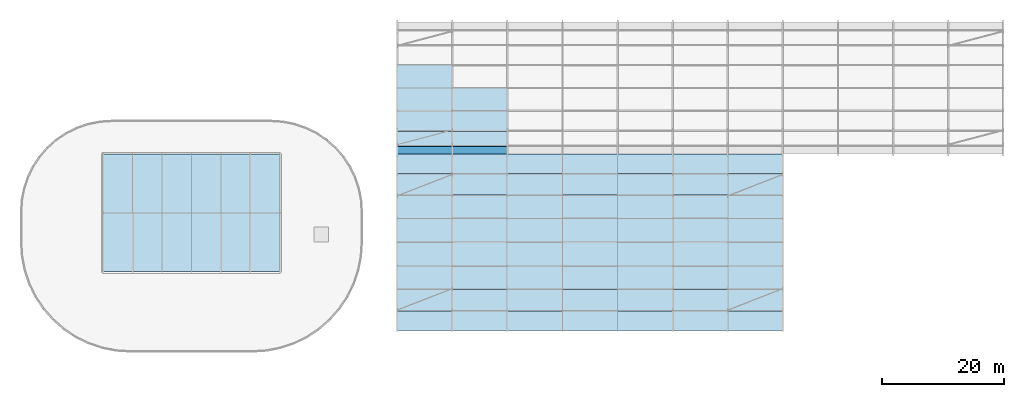
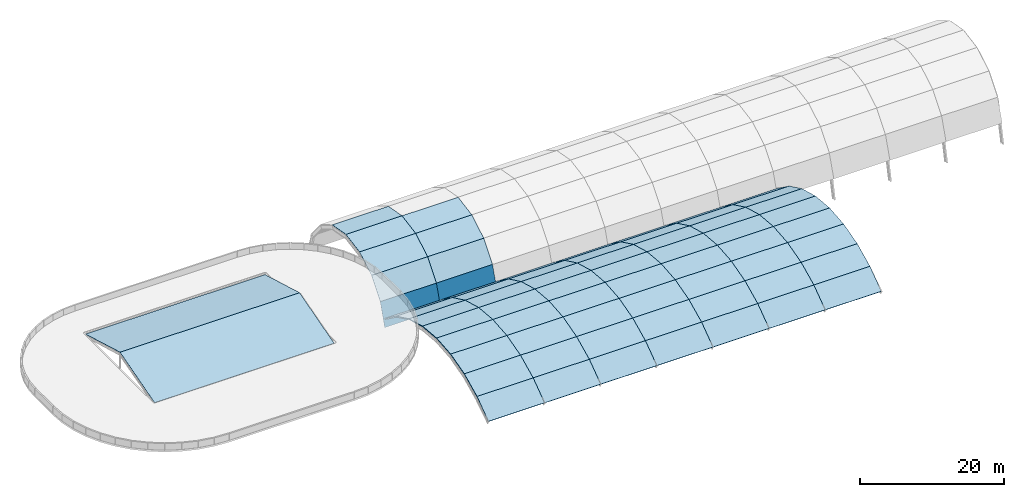
# One storey, part 12 of 15: 67 roofs.
"""IFC4 building model written with IfcOpenShell, lengths in metres."""

import ifcopenshell
import ifcopenshell.guid

model = None  # the IFC model being written
_history = None  # IfcOwnerHistory: only IFC2X3 demands one
_inside = {}  # id of a spatial element -> (the spatial element, [elements in it])
_under = {}  # id of a project, library or spatial element -> (it, [spatial elements below it])
_declared = {}  # id of a project -> (the project, [libraries it declares])
_typed = {}  # id of a type object -> (the type object, [elements of that type])
_made_of = {}  # id of a material, layer set ... -> (it, [elements and type objects made of it])


def new_model(schema):
    """Start an empty IFC model of exactly this schema.

    Asked for "IFC4X3", IfcOpenShell would pick the latest addendum, in which some entities
    have other attributes; the version numbers below select the first issue.
    IFC2X3 requires an IfcOwnerHistory on every rooted entity: one is made here for all.
    """
    global model, _history
    if schema == "IFC4X3":
        model = ifcopenshell.file(schema_version=(4, 3, 0, 0))
    else:
        model = ifcopenshell.file(schema=schema)
    _inside.clear()
    _under.clear()
    _declared.clear()
    _typed.clear()
    _made_of.clear()
    _history = None
    if model.schema == "IFC2X3":
        org = make("IfcOrganization", Name="unknown")
        user = make(
            "IfcPersonAndOrganization",
            ThePerson=make("IfcPerson", FamilyName="unknown"),
            TheOrganization=org,
        )
        app = make(
            "IfcApplication",
            ApplicationDeveloper=org,
            Version="unknown",
            ApplicationFullName="unknown",
            ApplicationIdentifier="unknown",
        )
        _history = make(
            "IfcOwnerHistory",
            OwningUser=user,
            OwningApplication=app,
            ChangeAction="ADDED",
            CreationDate=0,
        )
    return model


def make(cls, **values):
    """One entity of the class cls with the attributes given. An attribute that is None is left unset."""
    return model.create_entity(
        cls, **{name: value for name, value in values.items() if value is not None}
    )


def rooted(cls, **values):
    """An entity with a GlobalId (a new one), such as an element, a storey or a relation."""
    return make(cls, GlobalId=ifcopenshell.guid.new(), OwnerHistory=_history, **values)


def si_unit(unit_type, name, prefix=None):
    """IfcSIUnit, for example si_unit("LENGTHUNIT", "METRE", prefix="MILLI")."""
    return make("IfcSIUnit", UnitType=unit_type, Prefix=prefix, Name=name)


def assignment(units):
    """IfcUnitAssignment: the units of a project."""
    return None if units is None else make("IfcUnitAssignment", Units=units)


def point(xyz):
    """IfcCartesianPoint."""
    return None if xyz is None else make("IfcCartesianPoint", Coordinates=xyz)


def direction(xyz):
    """IfcDirection."""
    return None if xyz is None else make("IfcDirection", DirectionRatios=xyz)


def frame(location, z_axis=None, x_axis=None):
    """IfcAxis2Placement3D, a coordinate frame: its origin and axes. An axis left out is left unset."""
    return make(
        "IfcAxis2Placement3D",
        Location=point(location),
        Axis=direction(z_axis),
        RefDirection=direction(x_axis),
    )


def origin():
    """The frame at (0, 0, 0) with its axes left unset."""
    return frame((0.0, 0.0, 0.0))


def place(relative_to, where):
    """IfcLocalPlacement: puts the frame where relative to a parent placement (None: the world)."""
    return make(
        "IfcLocalPlacement", PlacementRelTo=relative_to, RelativePlacement=where
    )


def context(
    kind, dimensions, precision=None, world=None, true_north=None, identifier=None
):
    """IfcGeometricRepresentationContext, for example the 3D "Model" context."""
    return make(
        "IfcGeometricRepresentationContext",
        ContextIdentifier=identifier,
        ContextType=kind,
        CoordinateSpaceDimension=dimensions,
        Precision=precision,
        WorldCoordinateSystem=world,
        TrueNorth=true_north,
    )


def subcontext(parent, identifier, kind, view, scale=None):
    """IfcGeometricRepresentationSubContext, for example "Body" below "Model"."""
    return make(
        "IfcGeometricRepresentationSubContext",
        ContextIdentifier=identifier,
        ContextType=kind,
        ParentContext=parent,
        TargetScale=scale,
        TargetView=view,
    )


def project(units=None, contexts=None):
    """IfcProject with its units and contexts."""
    return rooted(
        "IfcProject",
        Name="project",
        RepresentationContexts=contexts,
        UnitsInContext=assignment(units),
    )


def spatial(cls, under=None, at=None, **own):
    """A site, building, storey or space (cls), placed at a placement, below another one or the project."""
    s = rooted(cls, ObjectPlacement=at, **own)
    if under is not None:
        _under.setdefault(under.id(), (under, []))[1].append(s)
    return s


def polyline(points):
    """IfcPolyline through the points."""
    return make("IfcPolyline", Points=[point(p) for p in points])


def outline(outer, holes=None, kind="AREA"):
    """IfcArbitraryClosedProfileDef: a profile drawn as a closed curve; with holes, ...WithVoids."""
    if holes is None:
        return make("IfcArbitraryClosedProfileDef", ProfileType=kind, OuterCurve=outer)
    return make(
        "IfcArbitraryProfileDefWithVoids",
        ProfileType=kind,
        OuterCurve=outer,
        InnerCurves=holes,
    )


def extrude(swept, where, along, depth):
    """IfcExtrudedAreaSolid: the profile swept, set in the frame where, extruded along a direction by depth."""
    return make(
        "IfcExtrudedAreaSolid",
        SweptArea=swept,
        Position=where,
        ExtrudedDirection=direction(along),
        Depth=depth,
    )


def shape(context_of_items, identifier, shape_type, items):
    """IfcShapeRepresentation: the items that make up one representation, for example the "Body"."""
    return make(
        "IfcShapeRepresentation",
        ContextOfItems=context_of_items,
        RepresentationIdentifier=identifier,
        RepresentationType=shape_type,
        Items=items,
    )


def material(Name=None, Category=None):
    """IfcMaterial."""
    return make("IfcMaterial", Name=Name, Category=Category)


def layer(
    of_material, thickness, ventilated=None, Name=None, Category=None, Priority=None
):
    """IfcMaterialLayer: one layer of a wall or slab, of a material (None: an air gap)."""
    return make(
        "IfcMaterialLayer",
        Material=of_material,
        LayerThickness=thickness,
        IsVentilated=ventilated,
        Name=Name,
        Category=Category,
        Priority=Priority,
    )


def layer_set(layers, Name=None):
    """IfcMaterialLayerSet."""
    return make("IfcMaterialLayerSet", MaterialLayers=layers, LayerSetName=Name)


def made_of(thing, what):
    """Note that an element or type object is made of a material, layer set ...; save() writes the relation."""
    if what is not None:
        _made_of.setdefault(what.id(), (what, []))[1].append(thing)
    return thing


def type_object(cls, material=None, **own):
    """A type object (cls), such as IfcWallType, which elements share."""
    return made_of(rooted(cls, **own), material)


def element(
    cls,
    number,
    at=None,
    inside=None,
    cuts=None,
    type_object=None,
    material=None,
    context=None,
    identifier="Body",
    shape_type=None,
    held_by="IfcProductDefinitionShape",
    body=None,
    shapes=None,
    **own,
):
    """One element of the class cls, such as IfcWall. Its Tag is "e" and its number.

    at: its placement. inside: the storey or other place that contains it. cuts: it is an
    opening in that element (IfcRelVoidsElement). A single representation is given by context,
    identifier, shape_type and body (its items); several are given by shapes. held_by: the class
    of the entity that holds the representations. save() writes the other relations.
    """
    e = rooted(cls, Tag="e%d" % number, ObjectPlacement=at, **own)
    if body is not None:
        shapes = [shape(context, identifier, shape_type, body)]
    if shapes is not None:
        e.Representation = make(held_by, Representations=shapes)
    if inside is not None:
        _inside.setdefault(inside.id(), (inside, []))[1].append(e)
    if cuts is not None:
        rooted(
            "IfcRelVoidsElement", RelatingBuildingElement=cuts, RelatedOpeningElement=e
        )
    if type_object is not None:
        _typed.setdefault(type_object.id(), (type_object, []))[1].append(e)
    return made_of(e, material)


def aggregate(whole, parts):
    """IfcRelAggregates: a whole, such as a stair, and the parts it consists of."""
    return rooted("IfcRelAggregates", RelatingObject=whole, RelatedObjects=parts)


def save(model, path):
    """Write the relations noted so far, then the file.

    IfcRelAggregates (storeys below a building ...), IfcRelContainedInSpatialStructure (elements
    in a storey), IfcRelDefinesByType, IfcRelAssociatesMaterial and IfcRelDeclares: one each for
    every whole, place, type object, material and project.
    """
    for whole, parts in _under.values():
        aggregate(whole, parts)
    for where, things in _inside.values():
        rooted(
            "IfcRelContainedInSpatialStructure",
            RelatedElements=things,
            RelatingStructure=where,
        )
    for kind, things in _typed.values():
        rooted("IfcRelDefinesByType", RelatedObjects=things, RelatingType=kind)
    for what, things in _made_of.values():
        rooted("IfcRelAssociatesMaterial", RelatedObjects=things, RelatingMaterial=what)
    for by, libraries in _declared.values():
        rooted("IfcRelDeclares", RelatingContext=by, RelatedDefinitions=libraries)
    model.write(path)


model = new_model("IFC4")

# Units and contexts
model_context = context("Model", 3, precision=1e-05, world=origin(), true_north=direction((0.0, 1.0)))
body_context = subcontext(model_context, "Body", "Model", "MODEL_VIEW")
ifc_project = project(units=[si_unit("LENGTHUNIT", "METRE"), si_unit("AREAUNIT", "SQUARE_METRE"), si_unit("VOLUMEUNIT", "CUBIC_METRE"), si_unit("PLANEANGLEUNIT", "RADIAN"), si_unit("MASSUNIT", "GRAM", prefix="KILO")], contexts=[model_context])

# Site, building, storey
site_placement = place(None, origin())
site = spatial("IfcSite", under=ifc_project, at=site_placement, CompositionType="ELEMENT")
building_placement = place(site_placement, origin())
building = spatial("IfcBuilding", under=site, at=building_placement, Name="Cendralis Terraced Arcade", CompositionType="ELEMENT")
storey_placement = place(building_placement, frame((0.0, 0.0, 34.199951171875)))
storey = spatial("IfcBuildingStorey", under=building, at=storey_placement, Name="RF", CompositionType="ELEMENT", Elevation=34.199951171875)

# Roofs
ifc_material_1 = material(Name="Concrete f'c 35 MPa", Category="concrete")
ifc_layer_1 = layer(ifc_material_1, 0.159912109375, Name="ROOF-BARREL-CMP")
ifc_layer_set_1 = layer_set([ifc_layer_1], Name="Concrete f'c 35 MPa")
roof_type_1 = type_object("IfcRoofType", Name="ROOF-BARREL-CMP", PredefinedType="BARREL_ROOF", material=ifc_layer_set_1)
roof_1_placement = place(storey_placement, frame((67.199951171875, 9.60009765625, -14.239990234375), z_axis=(0.0, -0.587431443905, 0.809273933049), x_axis=(1.0, 0.0, 0.0)))
element("IfcRoof", 1, at=roof_1_placement, inside=storey, type_object=roof_type_1, Name="Gourmet Food Hall Barrel Vault Roof Shell B01-F1", PredefinedType="BARREL_ROOF", context=body_context, shape_type="SweptSolid", body=[
    extrude(outline(polyline([(0.0, 0.0), (9.0, 0.0), (9.0, 3.923330158632356), (0.0, 3.923330158632356), (0.0, 0.0)])), origin(), (0.0, 0.0, -1.0), 0.159912109375),
])
roof_2_placement = place(storey_placement, frame((67.199951171875, 12.775146484375, -11.935302734375), z_axis=(0.0, -0.433570486176, 0.901119655494), x_axis=(1.0, 0.0, 0.0)))
element("IfcRoof", 2, at=roof_2_placement, inside=storey, type_object=roof_type_1, Name="Gourmet Food Hall Barrel Vault Roof Shell B01-F2", PredefinedType="BARREL_ROOF", context=body_context, shape_type="SweptSolid", body=[
    extrude(outline(polyline([(0.0, 0.0), (9.0, 0.0), (9.0, 3.9230708468596553), (0.0, 3.9230708468596553), (0.0, 0.0)])), origin(), (0.0, 0.0, -1.0), 0.159912109375),
])
roof_3_placement = place(storey_placement, frame((67.199951171875, 16.310302734375, -10.234375), z_axis=(0.0, -0.265833284291, 0.964019016909), x_axis=(1.0, 0.0, 0.0)))
element("IfcRoof", 3, at=roof_3_placement, inside=storey, type_object=roof_type_1, Name="Gourmet Food Hall Barrel Vault Roof Shell B01-F3", PredefinedType="BARREL_ROOF", context=body_context, shape_type="SweptSolid", body=[
    extrude(outline(polyline([(0.0, 0.0), (9.0, 0.0), (9.0, 3.9233941407354336), (0.0, 3.9233941407354336), (0.0, 0.0)])), origin(), (0.0, 0.0, -1.0), 0.159912109375),
])
for number, where, z_axis, x_axis, name in (
    (4, (67.199951171875, 20.092529296875, -9.19140625), (0.0, -0.089609921363, 0.995976938485), (1.0, 0.0, 0.0), "Gourmet Food Hall Barrel Vault Roof Shell B01-F4"),
    (5, (67.199951171875, 24.0, -8.83984375), (0.0, 0.089609921363, 0.995976938485), (1.0, 0.0, 0.0), "Gourmet Food Hall Barrel Vault Roof Shell B01-F5"),
):
    element("IfcRoof", number, at=place(storey_placement, frame(where, z_axis=z_axis, x_axis=x_axis)), inside=storey, type_object=roof_type_1, Name=name, PredefinedType="BARREL_ROOF", context=body_context, shape_type="SweptSolid", body=[
        extrude(outline(polyline([(0.0, 0.0), (9.0, 0.0), (9.0, 3.923254196096199), (0.0, 3.923254196096199), (0.0, 0.0)])), origin(), (0.0, 0.0, -1.0), 0.159912109375),
    ])
roof_4_placement = place(storey_placement, frame((67.199951171875, 27.907470703125, -9.19140625), z_axis=(0.0, 0.265833284291, 0.964019016909), x_axis=(1.0, 0.0, 0.0)))
element("IfcRoof", 6, at=roof_4_placement, inside=storey, type_object=roof_type_1, Name="Gourmet Food Hall Barrel Vault Roof Shell B01-F6", PredefinedType="BARREL_ROOF", context=body_context, shape_type="SweptSolid", body=[
    extrude(outline(polyline([(0.0, 0.0), (9.0, 0.0), (9.0, 3.9233941407354336), (0.0, 3.9233941407354336), (0.0, 0.0)])), origin(), (0.0, 0.0, -1.0), 0.159912109375),
])
roof_5_placement = place(storey_placement, frame((67.199951171875, 31.689697265625, -10.234375), z_axis=(0.0, 0.433570486176, 0.901119655494), x_axis=(1.0, 0.0, 0.0)))
element("IfcRoof", 7, at=roof_5_placement, inside=storey, type_object=roof_type_1, Name="Gourmet Food Hall Barrel Vault Roof Shell B01-F7", PredefinedType="BARREL_ROOF", context=body_context, shape_type="SweptSolid", body=[
    extrude(outline(polyline([(0.0, 0.0), (9.0, 0.0), (9.0, 3.9230708468596553), (0.0, 3.9230708468596553), (0.0, 0.0)])), origin(), (0.0, 0.0, -1.0), 0.159912109375),
])
for number, where, z_axis, x_axis, name in (
    (8, (67.199951171875, 35.224853515625, -11.935302734375), (0.0, 0.587431443905, 0.809273933049), (1.0, 0.0, 0.0), "Gourmet Food Hall Barrel Vault Roof Shell B01-F8"),
    (9, (76.199951171875, 9.60009765625, -14.239990234375), (0.0, -0.587431443905, 0.809273933049), (1.0, 0.0, 0.0), "Gourmet Food Hall Barrel Vault Roof Shell B02-F1"),
):
    element("IfcRoof", number, at=place(storey_placement, frame(where, z_axis=z_axis, x_axis=x_axis)), inside=storey, type_object=roof_type_1, Name=name, PredefinedType="BARREL_ROOF", context=body_context, shape_type="SweptSolid", body=[
        extrude(outline(polyline([(0.0, 0.0), (9.0, 0.0), (9.0, 3.923330158632356), (0.0, 3.923330158632356), (0.0, 0.0)])), origin(), (0.0, 0.0, -1.0), 0.159912109375),
    ])
roof_6_placement = place(storey_placement, frame((76.199951171875, 12.775146484375, -11.935302734375), z_axis=(0.0, -0.433570486176, 0.901119655494), x_axis=(1.0, 0.0, 0.0)))
element("IfcRoof", 10, at=roof_6_placement, inside=storey, type_object=roof_type_1, Name="Gourmet Food Hall Barrel Vault Roof Shell B02-F2", PredefinedType="BARREL_ROOF", context=body_context, shape_type="SweptSolid", body=[
    extrude(outline(polyline([(0.0, 0.0), (9.0, 0.0), (9.0, 3.9230708468596553), (0.0, 3.9230708468596553), (0.0, 0.0)])), origin(), (0.0, 0.0, -1.0), 0.159912109375),
])
roof_7_placement = place(storey_placement, frame((76.199951171875, 16.310302734375, -10.234375), z_axis=(0.0, -0.265833284291, 0.964019016909), x_axis=(1.0, 0.0, 0.0)))
element("IfcRoof", 11, at=roof_7_placement, inside=storey, type_object=roof_type_1, Name="Gourmet Food Hall Barrel Vault Roof Shell B02-F3", PredefinedType="BARREL_ROOF", context=body_context, shape_type="SweptSolid", body=[
    extrude(outline(polyline([(0.0, 0.0), (9.0, 0.0), (9.0, 3.9233941407354336), (0.0, 3.9233941407354336), (0.0, 0.0)])), origin(), (0.0, 0.0, -1.0), 0.159912109375),
])
for number, where, z_axis, x_axis, name in (
    (12, (76.199951171875, 20.092529296875, -9.19140625), (0.0, -0.089609921363, 0.995976938485), (1.0, 0.0, 0.0), "Gourmet Food Hall Barrel Vault Roof Shell B02-F4"),
    (13, (76.199951171875, 24.0, -8.83984375), (0.0, 0.089609921363, 0.995976938485), (1.0, 0.0, 0.0), "Gourmet Food Hall Barrel Vault Roof Shell B02-F5"),
):
    element("IfcRoof", number, at=place(storey_placement, frame(where, z_axis=z_axis, x_axis=x_axis)), inside=storey, type_object=roof_type_1, Name=name, PredefinedType="BARREL_ROOF", context=body_context, shape_type="SweptSolid", body=[
        extrude(outline(polyline([(0.0, 0.0), (9.0, 0.0), (9.0, 3.923254196096199), (0.0, 3.923254196096199), (0.0, 0.0)])), origin(), (0.0, 0.0, -1.0), 0.159912109375),
    ])
roof_8_placement = place(storey_placement, frame((76.199951171875, 27.907470703125, -9.19140625), z_axis=(0.0, 0.265833284291, 0.964019016909), x_axis=(1.0, 0.0, 0.0)))
element("IfcRoof", 14, at=roof_8_placement, inside=storey, type_object=roof_type_1, Name="Gourmet Food Hall Barrel Vault Roof Shell B02-F6", PredefinedType="BARREL_ROOF", context=body_context, shape_type="SweptSolid", body=[
    extrude(outline(polyline([(0.0, 0.0), (9.0, 0.0), (9.0, 3.9233941407354336), (0.0, 3.9233941407354336), (0.0, 0.0)])), origin(), (0.0, 0.0, -1.0), 0.159912109375),
])
roof_9_placement = place(storey_placement, frame((76.199951171875, 31.689697265625, -10.234375), z_axis=(0.0, 0.433570486176, 0.901119655494), x_axis=(1.0, 0.0, 0.0)))
element("IfcRoof", 15, at=roof_9_placement, inside=storey, type_object=roof_type_1, Name="Gourmet Food Hall Barrel Vault Roof Shell B02-F7", PredefinedType="BARREL_ROOF", context=body_context, shape_type="SweptSolid", body=[
    extrude(outline(polyline([(0.0, 0.0), (9.0, 0.0), (9.0, 3.9230708468596553), (0.0, 3.9230708468596553), (0.0, 0.0)])), origin(), (0.0, 0.0, -1.0), 0.159912109375),
])
for number, where, z_axis, x_axis, name in (
    (16, (76.199951171875, 35.224853515625, -11.935302734375), (0.0, 0.587431443905, 0.809273933049), (1.0, 0.0, 0.0), "Gourmet Food Hall Barrel Vault Roof Shell B02-F8"),
    (17, (85.199951171875, 9.60009765625, -14.239990234375), (0.0, -0.587431443905, 0.809273933049), (1.0, 0.0, 0.0), "Gourmet Food Hall Barrel Vault Roof Shell B03-F1"),
):
    element("IfcRoof", number, at=place(storey_placement, frame(where, z_axis=z_axis, x_axis=x_axis)), inside=storey, type_object=roof_type_1, Name=name, PredefinedType="BARREL_ROOF", context=body_context, shape_type="SweptSolid", body=[
        extrude(outline(polyline([(0.0, 0.0), (9.0, 0.0), (9.0, 3.923330158632356), (0.0, 3.923330158632356), (0.0, 0.0)])), origin(), (0.0, 0.0, -1.0), 0.159912109375),
    ])
roof_10_placement = place(storey_placement, frame((85.199951171875, 12.775146484375, -11.935302734375), z_axis=(0.0, -0.433570486176, 0.901119655494), x_axis=(1.0, 0.0, 0.0)))
element("IfcRoof", 18, at=roof_10_placement, inside=storey, type_object=roof_type_1, Name="Gourmet Food Hall Barrel Vault Roof Shell B03-F2", PredefinedType="BARREL_ROOF", context=body_context, shape_type="SweptSolid", body=[
    extrude(outline(polyline([(0.0, 0.0), (9.0, 0.0), (9.0, 3.9230708468596553), (0.0, 3.9230708468596553), (0.0, 0.0)])), origin(), (0.0, 0.0, -1.0), 0.159912109375),
])
roof_11_placement = place(storey_placement, frame((85.199951171875, 16.310302734375, -10.234375), z_axis=(0.0, -0.265833284291, 0.964019016909), x_axis=(1.0, 0.0, 0.0)))
element("IfcRoof", 19, at=roof_11_placement, inside=storey, type_object=roof_type_1, Name="Gourmet Food Hall Barrel Vault Roof Shell B03-F3", PredefinedType="BARREL_ROOF", context=body_context, shape_type="SweptSolid", body=[
    extrude(outline(polyline([(0.0, 0.0), (9.0, 0.0), (9.0, 3.9233941407354336), (0.0, 3.9233941407354336), (0.0, 0.0)])), origin(), (0.0, 0.0, -1.0), 0.159912109375),
])
for number, where, z_axis, x_axis, name in (
    (20, (85.199951171875, 20.092529296875, -9.19140625), (0.0, -0.089609921363, 0.995976938485), (1.0, 0.0, 0.0), "Gourmet Food Hall Barrel Vault Roof Shell B03-F4"),
    (21, (85.199951171875, 24.0, -8.83984375), (0.0, 0.089609921363, 0.995976938485), (1.0, 0.0, 0.0), "Gourmet Food Hall Barrel Vault Roof Shell B03-F5"),
):
    element("IfcRoof", number, at=place(storey_placement, frame(where, z_axis=z_axis, x_axis=x_axis)), inside=storey, type_object=roof_type_1, Name=name, PredefinedType="BARREL_ROOF", context=body_context, shape_type="SweptSolid", body=[
        extrude(outline(polyline([(0.0, 0.0), (9.0, 0.0), (9.0, 3.923254196096199), (0.0, 3.923254196096199), (0.0, 0.0)])), origin(), (0.0, 0.0, -1.0), 0.159912109375),
    ])
roof_12_placement = place(storey_placement, frame((85.199951171875, 27.907470703125, -9.19140625), z_axis=(0.0, 0.265833284291, 0.964019016909), x_axis=(1.0, 0.0, 0.0)))
element("IfcRoof", 22, at=roof_12_placement, inside=storey, type_object=roof_type_1, Name="Gourmet Food Hall Barrel Vault Roof Shell B03-F6", PredefinedType="BARREL_ROOF", context=body_context, shape_type="SweptSolid", body=[
    extrude(outline(polyline([(0.0, 0.0), (9.0, 0.0), (9.0, 3.9233941407354336), (0.0, 3.9233941407354336), (0.0, 0.0)])), origin(), (0.0, 0.0, -1.0), 0.159912109375),
])
roof_13_placement = place(storey_placement, frame((85.199951171875, 31.689697265625, -10.234375), z_axis=(0.0, 0.433570486176, 0.901119655494), x_axis=(1.0, 0.0, 0.0)))
element("IfcRoof", 23, at=roof_13_placement, inside=storey, type_object=roof_type_1, Name="Gourmet Food Hall Barrel Vault Roof Shell B03-F7", PredefinedType="BARREL_ROOF", context=body_context, shape_type="SweptSolid", body=[
    extrude(outline(polyline([(0.0, 0.0), (9.0, 0.0), (9.0, 3.9230708468596553), (0.0, 3.9230708468596553), (0.0, 0.0)])), origin(), (0.0, 0.0, -1.0), 0.159912109375),
])
for number, where, z_axis, x_axis, name in (
    (24, (85.199951171875, 35.224853515625, -11.935302734375), (0.0, 0.587431443905, 0.809273933049), (1.0, 0.0, 0.0), "Gourmet Food Hall Barrel Vault Roof Shell B03-F8"),
    (25, (94.199951171875, 9.60009765625, -14.239990234375), (0.0, -0.587431443905, 0.809273933049), (1.0, 0.0, 0.0), "Gourmet Food Hall Barrel Vault Roof Shell B04-F1"),
):
    element("IfcRoof", number, at=place(storey_placement, frame(where, z_axis=z_axis, x_axis=x_axis)), inside=storey, type_object=roof_type_1, Name=name, PredefinedType="BARREL_ROOF", context=body_context, shape_type="SweptSolid", body=[
        extrude(outline(polyline([(0.0, 0.0), (9.0, 0.0), (9.0, 3.923330158632356), (0.0, 3.923330158632356), (0.0, 0.0)])), origin(), (0.0, 0.0, -1.0), 0.159912109375),
    ])
roof_14_placement = place(storey_placement, frame((94.199951171875, 12.775146484375, -11.935302734375), z_axis=(0.0, -0.433570486176, 0.901119655494), x_axis=(1.0, 0.0, 0.0)))
element("IfcRoof", 26, at=roof_14_placement, inside=storey, type_object=roof_type_1, Name="Gourmet Food Hall Barrel Vault Roof Shell B04-F2", PredefinedType="BARREL_ROOF", context=body_context, shape_type="SweptSolid", body=[
    extrude(outline(polyline([(0.0, 0.0), (9.0, 0.0), (9.0, 3.9230708468596553), (0.0, 3.9230708468596553), (0.0, 0.0)])), origin(), (0.0, 0.0, -1.0), 0.159912109375),
])
roof_15_placement = place(storey_placement, frame((94.199951171875, 16.310302734375, -10.234375), z_axis=(0.0, -0.265833284291, 0.964019016909), x_axis=(1.0, 0.0, 0.0)))
element("IfcRoof", 27, at=roof_15_placement, inside=storey, type_object=roof_type_1, Name="Gourmet Food Hall Barrel Vault Roof Shell B04-F3", PredefinedType="BARREL_ROOF", context=body_context, shape_type="SweptSolid", body=[
    extrude(outline(polyline([(0.0, 0.0), (9.0, 0.0), (9.0, 3.9233941407354336), (0.0, 3.9233941407354336), (0.0, 0.0)])), origin(), (0.0, 0.0, -1.0), 0.159912109375),
])
for number, where, z_axis, x_axis, name in (
    (28, (94.199951171875, 20.092529296875, -9.19140625), (0.0, -0.089609921363, 0.995976938485), (1.0, 0.0, 0.0), "Gourmet Food Hall Barrel Vault Roof Shell B04-F4"),
    (29, (94.199951171875, 24.0, -8.83984375), (0.0, 0.089609921363, 0.995976938485), (1.0, 0.0, 0.0), "Gourmet Food Hall Barrel Vault Roof Shell B04-F5"),
):
    element("IfcRoof", number, at=place(storey_placement, frame(where, z_axis=z_axis, x_axis=x_axis)), inside=storey, type_object=roof_type_1, Name=name, PredefinedType="BARREL_ROOF", context=body_context, shape_type="SweptSolid", body=[
        extrude(outline(polyline([(0.0, 0.0), (9.0, 0.0), (9.0, 3.923254196096199), (0.0, 3.923254196096199), (0.0, 0.0)])), origin(), (0.0, 0.0, -1.0), 0.159912109375),
    ])
roof_16_placement = place(storey_placement, frame((94.199951171875, 27.907470703125, -9.19140625), z_axis=(0.0, 0.265833284291, 0.964019016909), x_axis=(1.0, 0.0, 0.0)))
element("IfcRoof", 30, at=roof_16_placement, inside=storey, type_object=roof_type_1, Name="Gourmet Food Hall Barrel Vault Roof Shell B04-F6", PredefinedType="BARREL_ROOF", context=body_context, shape_type="SweptSolid", body=[
    extrude(outline(polyline([(0.0, 0.0), (9.0, 0.0), (9.0, 3.9233941407354336), (0.0, 3.9233941407354336), (0.0, 0.0)])), origin(), (0.0, 0.0, -1.0), 0.159912109375),
])
roof_17_placement = place(storey_placement, frame((94.199951171875, 31.689697265625, -10.234375), z_axis=(0.0, 0.433570486176, 0.901119655494), x_axis=(1.0, 0.0, 0.0)))
element("IfcRoof", 31, at=roof_17_placement, inside=storey, type_object=roof_type_1, Name="Gourmet Food Hall Barrel Vault Roof Shell B04-F7", PredefinedType="BARREL_ROOF", context=body_context, shape_type="SweptSolid", body=[
    extrude(outline(polyline([(0.0, 0.0), (9.0, 0.0), (9.0, 3.9230708468596553), (0.0, 3.9230708468596553), (0.0, 0.0)])), origin(), (0.0, 0.0, -1.0), 0.159912109375),
])
for number, where, z_axis, x_axis, name in (
    (32, (94.199951171875, 35.224853515625, -11.935302734375), (0.0, 0.587431443905, 0.809273933049), (1.0, 0.0, 0.0), "Gourmet Food Hall Barrel Vault Roof Shell B04-F8"),
    (33, (103.199951171875, 9.60009765625, -14.239990234375), (0.0, -0.587431443905, 0.809273933049), (1.0, 0.0, 0.0), "Gourmet Food Hall Barrel Vault Roof Shell B05-F1"),
):
    element("IfcRoof", number, at=place(storey_placement, frame(where, z_axis=z_axis, x_axis=x_axis)), inside=storey, type_object=roof_type_1, Name=name, PredefinedType="BARREL_ROOF", context=body_context, shape_type="SweptSolid", body=[
        extrude(outline(polyline([(0.0, 0.0), (9.0, 0.0), (9.0, 3.923330158632356), (0.0, 3.923330158632356), (0.0, 0.0)])), origin(), (0.0, 0.0, -1.0), 0.159912109375),
    ])
roof_18_placement = place(storey_placement, frame((103.199951171875, 12.775146484375, -11.935302734375), z_axis=(0.0, -0.433570486176, 0.901119655494), x_axis=(1.0, 0.0, 0.0)))
element("IfcRoof", 34, at=roof_18_placement, inside=storey, type_object=roof_type_1, Name="Gourmet Food Hall Barrel Vault Roof Shell B05-F2", PredefinedType="BARREL_ROOF", context=body_context, shape_type="SweptSolid", body=[
    extrude(outline(polyline([(0.0, 0.0), (9.0, 0.0), (9.0, 3.9230708468596553), (0.0, 3.9230708468596553), (0.0, 0.0)])), origin(), (0.0, 0.0, -1.0), 0.159912109375),
])
roof_19_placement = place(storey_placement, frame((103.199951171875, 16.310302734375, -10.234375), z_axis=(0.0, -0.265833284291, 0.964019016909), x_axis=(1.0, 0.0, 0.0)))
element("IfcRoof", 35, at=roof_19_placement, inside=storey, type_object=roof_type_1, Name="Gourmet Food Hall Barrel Vault Roof Shell B05-F3", PredefinedType="BARREL_ROOF", context=body_context, shape_type="SweptSolid", body=[
    extrude(outline(polyline([(0.0, 0.0), (9.0, 0.0), (9.0, 3.9233941407354336), (0.0, 3.9233941407354336), (0.0, 0.0)])), origin(), (0.0, 0.0, -1.0), 0.159912109375),
])
for number, where, z_axis, x_axis, name in (
    (36, (103.199951171875, 20.092529296875, -9.19140625), (0.0, -0.089609921363, 0.995976938485), (1.0, 0.0, 0.0), "Gourmet Food Hall Barrel Vault Roof Shell B05-F4"),
    (37, (103.199951171875, 24.0, -8.83984375), (0.0, 0.089609921363, 0.995976938485), (1.0, 0.0, 0.0), "Gourmet Food Hall Barrel Vault Roof Shell B05-F5"),
):
    element("IfcRoof", number, at=place(storey_placement, frame(where, z_axis=z_axis, x_axis=x_axis)), inside=storey, type_object=roof_type_1, Name=name, PredefinedType="BARREL_ROOF", context=body_context, shape_type="SweptSolid", body=[
        extrude(outline(polyline([(0.0, 0.0), (9.0, 0.0), (9.0, 3.923254196096199), (0.0, 3.923254196096199), (0.0, 0.0)])), origin(), (0.0, 0.0, -1.0), 0.159912109375),
    ])
roof_20_placement = place(storey_placement, frame((103.199951171875, 27.907470703125, -9.19140625), z_axis=(0.0, 0.265833284291, 0.964019016909), x_axis=(1.0, 0.0, 0.0)))
element("IfcRoof", 38, at=roof_20_placement, inside=storey, type_object=roof_type_1, Name="Gourmet Food Hall Barrel Vault Roof Shell B05-F6", PredefinedType="BARREL_ROOF", context=body_context, shape_type="SweptSolid", body=[
    extrude(outline(polyline([(0.0, 0.0), (9.0, 0.0), (9.0, 3.9233941407354336), (0.0, 3.9233941407354336), (0.0, 0.0)])), origin(), (0.0, 0.0, -1.0), 0.159912109375),
])
roof_21_placement = place(storey_placement, frame((103.199951171875, 31.689697265625, -10.234375), z_axis=(0.0, 0.433570486176, 0.901119655494), x_axis=(1.0, 0.0, 0.0)))
element("IfcRoof", 39, at=roof_21_placement, inside=storey, type_object=roof_type_1, Name="Gourmet Food Hall Barrel Vault Roof Shell B05-F7", PredefinedType="BARREL_ROOF", context=body_context, shape_type="SweptSolid", body=[
    extrude(outline(polyline([(0.0, 0.0), (9.0, 0.0), (9.0, 3.9230708468596553), (0.0, 3.9230708468596553), (0.0, 0.0)])), origin(), (0.0, 0.0, -1.0), 0.159912109375),
])
for number, where, z_axis, x_axis, name in (
    (40, (103.199951171875, 35.224853515625, -11.935302734375), (0.0, 0.587431443905, 0.809273933049), (1.0, 0.0, 0.0), "Gourmet Food Hall Barrel Vault Roof Shell B05-F8"),
    (41, (112.199951171875, 9.60009765625, -14.239990234375), (0.0, -0.587431443905, 0.809273933049), (1.0, 0.0, 0.0), "Gourmet Food Hall Barrel Vault Roof Shell B06-F1"),
):
    element("IfcRoof", number, at=place(storey_placement, frame(where, z_axis=z_axis, x_axis=x_axis)), inside=storey, type_object=roof_type_1, Name=name, PredefinedType="BARREL_ROOF", context=body_context, shape_type="SweptSolid", body=[
        extrude(outline(polyline([(0.0, 0.0), (9.0, 0.0), (9.0, 3.923330158632356), (0.0, 3.923330158632356), (0.0, 0.0)])), origin(), (0.0, 0.0, -1.0), 0.159912109375),
    ])
roof_22_placement = place(storey_placement, frame((112.199951171875, 12.775146484375, -11.935302734375), z_axis=(0.0, -0.433570486176, 0.901119655494), x_axis=(1.0, 0.0, 0.0)))
element("IfcRoof", 42, at=roof_22_placement, inside=storey, type_object=roof_type_1, Name="Gourmet Food Hall Barrel Vault Roof Shell B06-F2", PredefinedType="BARREL_ROOF", context=body_context, shape_type="SweptSolid", body=[
    extrude(outline(polyline([(0.0, 0.0), (9.0, 0.0), (9.0, 3.9230708468596553), (0.0, 3.9230708468596553), (0.0, 0.0)])), origin(), (0.0, 0.0, -1.0), 0.159912109375),
])
roof_23_placement = place(storey_placement, frame((112.199951171875, 16.310302734375, -10.234375), z_axis=(0.0, -0.265833284291, 0.964019016909), x_axis=(1.0, 0.0, 0.0)))
element("IfcRoof", 43, at=roof_23_placement, inside=storey, type_object=roof_type_1, Name="Gourmet Food Hall Barrel Vault Roof Shell B06-F3", PredefinedType="BARREL_ROOF", context=body_context, shape_type="SweptSolid", body=[
    extrude(outline(polyline([(0.0, 0.0), (9.0, 0.0), (9.0, 3.9233941407354336), (0.0, 3.9233941407354336), (0.0, 0.0)])), origin(), (0.0, 0.0, -1.0), 0.159912109375),
])
for number, where, z_axis, x_axis, name in (
    (44, (112.199951171875, 20.092529296875, -9.19140625), (0.0, -0.089609921363, 0.995976938485), (1.0, 0.0, 0.0), "Gourmet Food Hall Barrel Vault Roof Shell B06-F4"),
    (45, (112.199951171875, 24.0, -8.83984375), (0.0, 0.089609921363, 0.995976938485), (1.0, 0.0, 0.0), "Gourmet Food Hall Barrel Vault Roof Shell B06-F5"),
):
    element("IfcRoof", number, at=place(storey_placement, frame(where, z_axis=z_axis, x_axis=x_axis)), inside=storey, type_object=roof_type_1, Name=name, PredefinedType="BARREL_ROOF", context=body_context, shape_type="SweptSolid", body=[
        extrude(outline(polyline([(0.0, 0.0), (9.0, 0.0), (9.0, 3.923254196096199), (0.0, 3.923254196096199), (0.0, 0.0)])), origin(), (0.0, 0.0, -1.0), 0.159912109375),
    ])
roof_24_placement = place(storey_placement, frame((112.199951171875, 27.907470703125, -9.19140625), z_axis=(0.0, 0.265833284291, 0.964019016909), x_axis=(1.0, 0.0, 0.0)))
element("IfcRoof", 46, at=roof_24_placement, inside=storey, type_object=roof_type_1, Name="Gourmet Food Hall Barrel Vault Roof Shell B06-F6", PredefinedType="BARREL_ROOF", context=body_context, shape_type="SweptSolid", body=[
    extrude(outline(polyline([(0.0, 0.0), (9.0, 0.0), (9.0, 3.9233941407354336), (0.0, 3.9233941407354336), (0.0, 0.0)])), origin(), (0.0, 0.0, -1.0), 0.159912109375),
])
roof_25_placement = place(storey_placement, frame((112.199951171875, 31.689697265625, -10.234375), z_axis=(0.0, 0.433570486176, 0.901119655494), x_axis=(1.0, 0.0, 0.0)))
element("IfcRoof", 47, at=roof_25_placement, inside=storey, type_object=roof_type_1, Name="Gourmet Food Hall Barrel Vault Roof Shell B06-F7", PredefinedType="BARREL_ROOF", context=body_context, shape_type="SweptSolid", body=[
    extrude(outline(polyline([(0.0, 0.0), (9.0, 0.0), (9.0, 3.9230708468596553), (0.0, 3.9230708468596553), (0.0, 0.0)])), origin(), (0.0, 0.0, -1.0), 0.159912109375),
])
for number, where, z_axis, x_axis, name in (
    (48, (112.199951171875, 35.224853515625, -11.935302734375), (0.0, 0.587431443905, 0.809273933049), (1.0, 0.0, 0.0), "Gourmet Food Hall Barrel Vault Roof Shell B06-F8"),
    (49, (121.199951171875, 9.60009765625, -14.239990234375), (0.0, -0.587431443905, 0.809273933049), (1.0, 0.0, 0.0), "Gourmet Food Hall Barrel Vault Roof Shell B07-F1"),
):
    element("IfcRoof", number, at=place(storey_placement, frame(where, z_axis=z_axis, x_axis=x_axis)), inside=storey, type_object=roof_type_1, Name=name, PredefinedType="BARREL_ROOF", context=body_context, shape_type="SweptSolid", body=[
        extrude(outline(polyline([(0.0, 0.0), (9.0, 0.0), (9.0, 3.923330158632356), (0.0, 3.923330158632356), (0.0, 0.0)])), origin(), (0.0, 0.0, -1.0), 0.159912109375),
    ])
roof_26_placement = place(storey_placement, frame((121.199951171875, 12.775146484375, -11.935302734375), z_axis=(0.0, -0.433570486176, 0.901119655494), x_axis=(1.0, 0.0, 0.0)))
element("IfcRoof", 50, at=roof_26_placement, inside=storey, type_object=roof_type_1, Name="Gourmet Food Hall Barrel Vault Roof Shell B07-F2", PredefinedType="BARREL_ROOF", context=body_context, shape_type="SweptSolid", body=[
    extrude(outline(polyline([(0.0, 0.0), (9.0, 0.0), (9.0, 3.9230708468596553), (0.0, 3.9230708468596553), (0.0, 0.0)])), origin(), (0.0, 0.0, -1.0), 0.159912109375),
])
roof_27_placement = place(storey_placement, frame((121.199951171875, 16.310302734375, -10.234375), z_axis=(0.0, -0.265833284291, 0.964019016909), x_axis=(1.0, 0.0, 0.0)))
element("IfcRoof", 51, at=roof_27_placement, inside=storey, type_object=roof_type_1, Name="Gourmet Food Hall Barrel Vault Roof Shell B07-F3", PredefinedType="BARREL_ROOF", context=body_context, shape_type="SweptSolid", body=[
    extrude(outline(polyline([(0.0, 0.0), (9.0, 0.0), (9.0, 3.9233941407354336), (0.0, 3.9233941407354336), (0.0, 0.0)])), origin(), (0.0, 0.0, -1.0), 0.159912109375),
])
for number, where, z_axis, x_axis, name in (
    (52, (121.199951171875, 20.092529296875, -9.19140625), (0.0, -0.089609921363, 0.995976938485), (1.0, 0.0, 0.0), "Gourmet Food Hall Barrel Vault Roof Shell B07-F4"),
    (53, (121.199951171875, 24.0, -8.83984375), (0.0, 0.089609921363, 0.995976938485), (1.0, 0.0, 0.0), "Gourmet Food Hall Barrel Vault Roof Shell B07-F5"),
):
    element("IfcRoof", number, at=place(storey_placement, frame(where, z_axis=z_axis, x_axis=x_axis)), inside=storey, type_object=roof_type_1, Name=name, PredefinedType="BARREL_ROOF", context=body_context, shape_type="SweptSolid", body=[
        extrude(outline(polyline([(0.0, 0.0), (9.0, 0.0), (9.0, 3.923254196096199), (0.0, 3.923254196096199), (0.0, 0.0)])), origin(), (0.0, 0.0, -1.0), 0.159912109375),
    ])
roof_28_placement = place(storey_placement, frame((121.199951171875, 27.907470703125, -9.19140625), z_axis=(0.0, 0.265833284291, 0.964019016909), x_axis=(1.0, 0.0, 0.0)))
element("IfcRoof", 54, at=roof_28_placement, inside=storey, type_object=roof_type_1, Name="Gourmet Food Hall Barrel Vault Roof Shell B07-F6", PredefinedType="BARREL_ROOF", context=body_context, shape_type="SweptSolid", body=[
    extrude(outline(polyline([(0.0, 0.0), (9.0, 0.0), (9.0, 3.9233941407354336), (0.0, 3.9233941407354336), (0.0, 0.0)])), origin(), (0.0, 0.0, -1.0), 0.159912109375),
])
roof_29_placement = place(storey_placement, frame((121.199951171875, 31.689697265625, -10.234375), z_axis=(0.0, 0.433570486176, 0.901119655494), x_axis=(1.0, 0.0, 0.0)))
element("IfcRoof", 55, at=roof_29_placement, inside=storey, type_object=roof_type_1, Name="Gourmet Food Hall Barrel Vault Roof Shell B07-F7", PredefinedType="BARREL_ROOF", context=body_context, shape_type="SweptSolid", body=[
    extrude(outline(polyline([(0.0, 0.0), (9.0, 0.0), (9.0, 3.9230708468596553), (0.0, 3.9230708468596553), (0.0, 0.0)])), origin(), (0.0, 0.0, -1.0), 0.159912109375),
])
roof_30_placement = place(storey_placement, frame((121.199951171875, 35.224853515625, -11.935302734375), z_axis=(0.0, 0.587431443905, 0.809273933049), x_axis=(1.0, 0.0, 0.0)))
element("IfcRoof", 56, at=roof_30_placement, inside=storey, type_object=roof_type_1, Name="Gourmet Food Hall Barrel Vault Roof Shell B07-F8", PredefinedType="BARREL_ROOF", context=body_context, shape_type="SweptSolid", body=[
    extrude(outline(polyline([(0.0, 0.0), (9.0, 0.0), (9.0, 3.923330158632356), (0.0, 3.923330158632356), (0.0, 0.0)])), origin(), (0.0, 0.0, -1.0), 0.159912109375),
])
ifc_material_2 = material(Name="Tempered solar control laminated glass", Category="glass")
ifc_layer_2 = layer(ifc_material_2, 0.048095703125, Name="ROOF-BARREL-GLZ")
ifc_layer_set_2 = layer_set([ifc_layer_2], Name="Tempered solar control laminated glass")
roof_type_2 = type_object("IfcRoofType", Name="ROOF-BARREL-GLZ", PredefinedType="BARREL_ROOF", material=ifc_layer_set_2)
roof_31_placement = place(storey_placement, frame((67.199951171875, 38.39990234375, -15.80908203125), z_axis=(0.0, -0.945818650348, 0.324695365927), x_axis=(1.0, 0.0, 0.0)))
element("IfcRoof", 57, at=roof_31_placement, inside=storey, type_object=roof_type_2, Name="Shopping Arcade Barrel Vault Roof Shell B01-F1", PredefinedType="BARREL_ROOF", context=body_context, shape_type="SweptSolid", body=[
    extrude(outline(polyline([(0.0, 0.0), (9.0, 0.0), (9.0, 3.852018085640294), (0.0, 3.852018085640294), (0.0, 0.0)])), origin(), (0.0, 0.0, -1.0), 0.048095703125),
])
roof_32_placement = place(storey_placement, frame((67.199951171875, 39.650634765625, -12.165771484375), z_axis=(0.0, -0.774377884268, 0.632723393243), x_axis=(1.0, 0.0, 0.0)))
element("IfcRoof", 58, at=roof_32_placement, inside=storey, type_object=roof_type_2, Name="Shopping Arcade Barrel Vault Roof Shell B01-F2", PredefinedType="BARREL_ROOF", context=body_context, shape_type="SweptSolid", body=[
    extrude(outline(polyline([(0.0, 0.0), (9.0, 0.0), (9.0, 3.852008453302922), (0.0, 3.852008453302922), (0.0, 0.0)])), origin(), (0.0, 0.0, -1.0), 0.048095703125),
])
roof_33_placement = place(storey_placement, frame((67.199951171875, 42.087890625, -9.182861328125), z_axis=(0.0, -0.506804057178, 0.862061278349), x_axis=(1.0, 0.0, 0.0)))
element("IfcRoof", 59, at=roof_33_placement, inside=storey, type_object=roof_type_2, Name="Shopping Arcade Barrel Vault Roof Shell B01-F3", PredefinedType="BARREL_ROOF", context=body_context, shape_type="SweptSolid", body=[
    extrude(outline(polyline([(0.0, 0.0), (9.0, 0.0), (9.0, 3.851880050784614), (0.0, 3.851880050784614), (0.0, 0.0)])), origin(), (0.0, 0.0, -1.0), 0.048095703125),
])
roof_34_placement = place(storey_placement, frame((67.199951171875, 45.408447265625, -7.230712890625), z_axis=(0.0, -0.176207436967, 0.984353056153), x_axis=(1.0, 0.0, 0.0)))
element("IfcRoof", 60, at=roof_34_placement, inside=storey, type_object=roof_type_2, Name="Shopping Arcade Barrel Vault Roof Shell B01-F4", PredefinedType="BARREL_ROOF", context=body_context, shape_type="SweptSolid", body=[
    extrude(outline(polyline([(0.0, 0.0), (9.0, 0.0), (9.0, 3.8517723722711263), (0.0, 3.8517723722711263), (0.0, 0.0)])), origin(), (0.0, 0.0, -1.0), 0.048095703125),
])
roof_35_placement = place(storey_placement, frame((67.199951171875, 49.199951171875, -6.552001953125), z_axis=(0.0, 0.176196443672, 0.984355023981), x_axis=(1.0, 0.0, 0.0)))
element("IfcRoof", 61, at=roof_35_placement, inside=storey, type_object=roof_type_2, Name="Shopping Arcade Barrel Vault Roof Shell B01-F5", PredefinedType="BARREL_ROOF", context=body_context, shape_type="SweptSolid", body=[
    extrude(outline(polyline([(0.0, 0.0), (9.0, 0.0), (9.0, 3.8520126930816962), (0.0, 3.8520126930816962), (0.0, 0.0)])), origin(), (0.0, 0.0, -1.0), 0.048095703125),
])
roof_36_placement = place(storey_placement, frame((76.199951171875, 38.39990234375, -15.80908203125), z_axis=(0.0, -0.945818650348, 0.324695365927), x_axis=(1.0, 0.0, 0.0)))
element("IfcRoof", 62, at=roof_36_placement, inside=storey, type_object=roof_type_2, Name="Shopping Arcade Barrel Vault Roof Shell B02-F1", PredefinedType="BARREL_ROOF", context=body_context, shape_type="SweptSolid", body=[
    extrude(outline(polyline([(0.0, 0.0), (9.0, 0.0), (9.0, 3.852018085640294), (0.0, 3.852018085640294), (0.0, 0.0)])), origin(), (0.0, 0.0, -1.0), 0.048095703125),
])
roof_37_placement = place(storey_placement, frame((76.199951171875, 39.650634765625, -12.165771484375), z_axis=(0.0, -0.774377884268, 0.632723393243), x_axis=(1.0, 0.0, 0.0)))
element("IfcRoof", 63, at=roof_37_placement, inside=storey, type_object=roof_type_2, Name="Shopping Arcade Barrel Vault Roof Shell B02-F2", PredefinedType="BARREL_ROOF", context=body_context, shape_type="SweptSolid", body=[
    extrude(outline(polyline([(0.0, 0.0), (9.0, 0.0), (9.0, 3.852008453302922), (0.0, 3.852008453302922), (0.0, 0.0)])), origin(), (0.0, 0.0, -1.0), 0.048095703125),
])
roof_38_placement = place(storey_placement, frame((76.199951171875, 42.087890625, -9.182861328125), z_axis=(0.0, -0.506804057178, 0.862061278349), x_axis=(1.0, 0.0, 0.0)))
element("IfcRoof", 64, at=roof_38_placement, inside=storey, type_object=roof_type_2, Name="Shopping Arcade Barrel Vault Roof Shell B02-F3", PredefinedType="BARREL_ROOF", context=body_context, shape_type="SweptSolid", body=[
    extrude(outline(polyline([(0.0, 0.0), (9.0, 0.0), (9.0, 3.851880050784614), (0.0, 3.851880050784614), (0.0, 0.0)])), origin(), (0.0, 0.0, -1.0), 0.048095703125),
])
roof_39_placement = place(storey_placement, frame((76.199951171875, 45.408447265625, -7.230712890625), z_axis=(0.0, -0.176207436967, 0.984353056153), x_axis=(1.0, 0.0, 0.0)))
element("IfcRoof", 65, at=roof_39_placement, inside=storey, type_object=roof_type_2, Name="Shopping Arcade Barrel Vault Roof Shell B02-F4", PredefinedType="BARREL_ROOF", context=body_context, shape_type="SweptSolid", body=[
    extrude(outline(polyline([(0.0, 0.0), (9.0, 0.0), (9.0, 3.8517723722711263), (0.0, 3.8517723722711263), (0.0, 0.0)])), origin(), (0.0, 0.0, -1.0), 0.048095703125),
])
roof_40_placement = place(storey_placement, frame((19.199951171875, 19.199951171875, -0.099853515625), z_axis=(0.0, -0.275379769597, 0.961335520251), x_axis=(1.0, 0.0, 0.0)))
element("IfcRoof", 66, at=roof_40_placement, inside=storey, type_object=roof_type_2, Name="Atrium Pitched Skylight Vault Slope 1", PredefinedType="BARREL_ROOF", context=body_context, shape_type="SweptSolid", body=[
    extrude(outline(polyline([(0.0, 0.0), (28.800048828125, 0.0), (28.800048828125, 9.986209241225458), (0.0, 9.986209241225458), (0.0, 0.0)])), origin(), (0.0, 0.0, -1.0), 0.048095703125),
])
roof_41_placement = place(storey_placement, frame((19.199951171875, 28.800048828125, 2.650146484375), z_axis=(0.0, 0.275386241861, 0.961333666213), x_axis=(1.0, 0.0, 0.0)))
element("IfcRoof", 67, at=roof_41_placement, inside=storey, type_object=roof_type_2, Name="Atrium Pitched Skylight Vault Slope 2", PredefinedType="BARREL_ROOF", context=body_context, shape_type="SweptSolid", body=[
    extrude(outline(polyline([(0.0, 0.0), (28.800048828125, 0.0), (28.800048828125, 9.98597454039703), (0.0, 9.98597454039703), (0.0, 0.0)])), origin(), (0.0, 0.0, -1.0), 0.048095703125),
])

save(model, "model.ifc")
